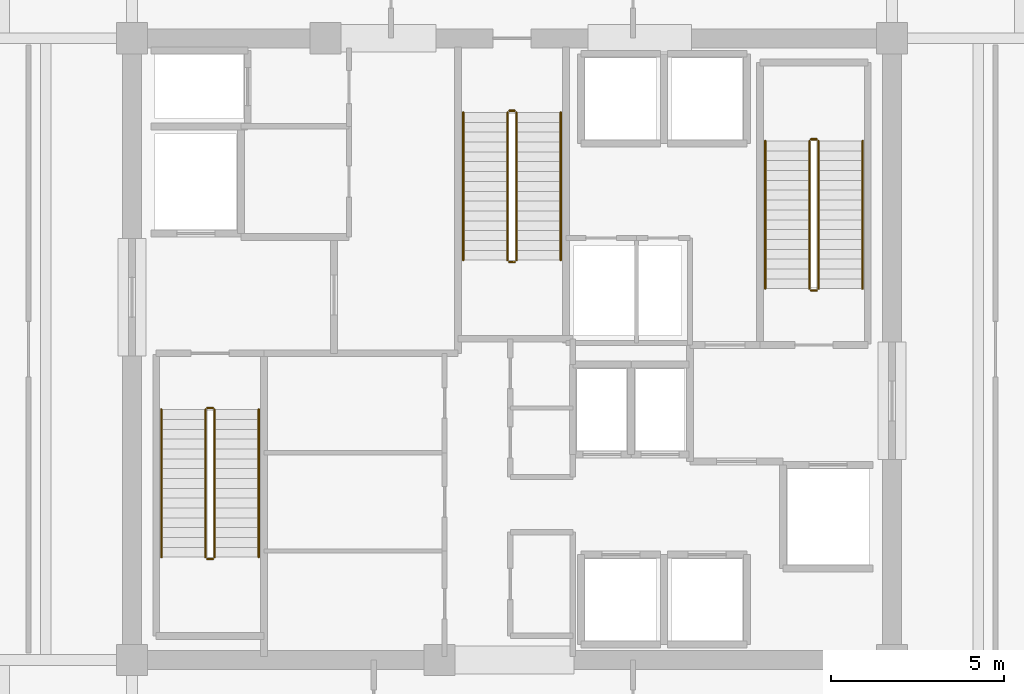
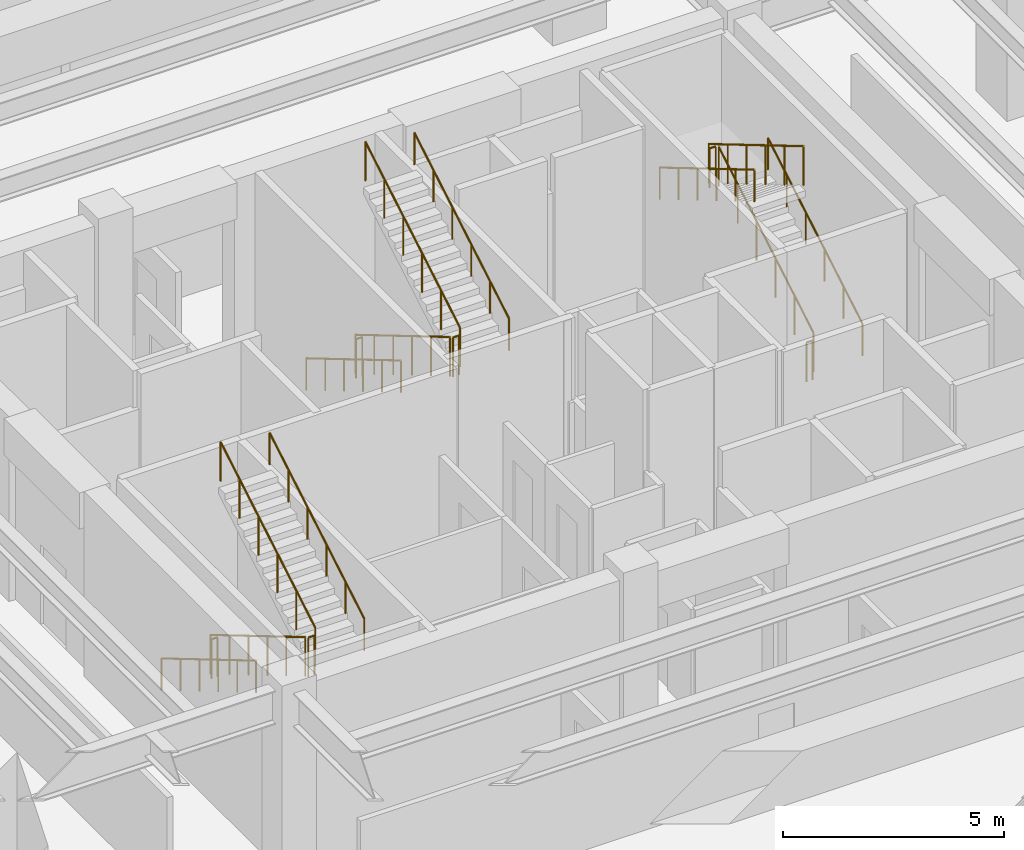
# One storey, part 24 of 24: 18 railings.
"""IFC4 building model written with IfcOpenShell, lengths in metres."""

from ifc_helpers import new_model, si_unit, direction, frame, origin, origin_2d, place, context, subcontext, project, spatial, circle, extrude, material, type_object, element, save


model = new_model("IFC4")

# Units and contexts
model_context = context("Model", 3, precision=1e-05, world=origin(), true_north=direction((0.0, 1.0)))
body_context = subcontext(model_context, "Body", "Model", "MODEL_VIEW")
ifc_project = project(units=[si_unit("LENGTHUNIT", "METRE"), si_unit("AREAUNIT", "SQUARE_METRE"), si_unit("VOLUMEUNIT", "CUBIC_METRE"), si_unit("PLANEANGLEUNIT", "RADIAN"), si_unit("MASSUNIT", "GRAM", prefix="KILO")], contexts=[model_context])

# Site, building, storey
site_placement = place(None, origin())
site = spatial("IfcSite", under=ifc_project, at=site_placement, CompositionType="ELEMENT")
building_placement = place(site_placement, origin())
building = spatial("IfcBuilding", under=site, at=building_placement, Name="Kovane Verandah Tower", CompositionType="ELEMENT")
storey_placement = place(building_placement, frame((0.0, 0.0, 194.800048828125)))
storey = spatial("IfcBuildingStorey", under=building, at=storey_placement, Name="L45", CompositionType="ELEMENT", Elevation=194.800048828125)

# Railings
ifc_material_1 = material(Name="Brushed Stainless Steel Handrail", Category="steel")
railing_type_1 = type_object("IfcRailingType", Name="RL-HAND-920", PredefinedType="HANDRAIL", material=ifc_material_1)
railing_1_placement = place(storey_placement, frame((29.85009765625, 25.75, 0.168701171875)))
element("IfcRailing", 1, at=railing_1_placement, inside=storey, type_object=railing_type_1, Name="L45 ST-01 stair handrail 1", PredefinedType="HANDRAIL", context=body_context, shape_type="SweptSolid", body=[
    extrude(circle(Radius=0.02392578125, at=origin_2d()), frame((0.0, 0.0, 0.8759765625), z_axis=(0.0, -0.860470286479, 0.509500624227), x_axis=(1.0, 0.0, 0.0)), (0.0, 0.0, 1.0), 4.968017578125),
    extrude(circle(Radius=0.02099609375, at=origin_2d()), origin(), (0.0, 0.0, 1.0), 0.851806640625),
    extrude(circle(Radius=0.02099609375, at=origin_2d()), frame((0.0, -0.85498046875, 0.50634765625)), (0.0, 0.0, 1.0), 0.851806640625),
    extrude(circle(Radius=0.02099609375, at=origin_2d()), frame((0.0, -1.7099609375, 1.012451171875)), (0.0, 0.0, 1.0), 0.851806640625),
    extrude(circle(Radius=0.02099609375, at=origin_2d()), frame((0.0, -2.56494140625, 1.518798828125)), (0.0, 0.0, 1.0), 0.851806640625),
    extrude(circle(Radius=0.02099609375, at=origin_2d()), frame((0.0, -3.419921875, 2.02490234375)), (0.0, 0.0, 1.0), 0.851806640625),
    extrude(circle(Radius=0.02099609375, at=origin_2d()), frame((0.0, -4.27490234375, 2.53125)), (0.0, 0.0, 1.0), 0.851806640625),
])
for number, where, name in (
    (2, (32.669921875, 21.47509765625, 2.86865234375), "L45 ST-01 stair handrail 2"),
    (3, (50.14990234375, 29.25, 0.168701171875), "L45 ST-02 stair handrail 1"),
):
    element("IfcRailing", number, at=place(storey_placement, frame(where)), inside=storey, type_object=railing_type_1, Name=name, PredefinedType="HANDRAIL", context=body_context, shape_type="SweptSolid", body=[
        extrude(circle(Radius=0.02392578125, at=origin_2d()), frame((0.0, 0.0, 0.8759765625), z_axis=(0.0, 0.860470286479, 0.509500624227), x_axis=(-1.0, 0.0, 0.0)), (0.0, 0.0, 1.0), 4.968017578125),
        extrude(circle(Radius=0.02099609375, at=origin_2d()), origin(), (0.0, 0.0, 1.0), 0.851806640625),
        extrude(circle(Radius=0.02099609375, at=origin_2d()), frame((0.0, 0.85498046875, 0.50634765625)), (0.0, 0.0, 1.0), 0.851806640625),
        extrude(circle(Radius=0.02099609375, at=origin_2d()), frame((0.0, 1.7099609375, 1.012451171875)), (0.0, 0.0, 1.0), 0.851806640625),
        extrude(circle(Radius=0.02099609375, at=origin_2d()), frame((0.0, 2.56494140625, 1.518798828125)), (0.0, 0.0, 1.0), 0.851806640625),
        extrude(circle(Radius=0.02099609375, at=origin_2d()), frame((0.0, 3.419921875, 2.02490234375)), (0.0, 0.0, 1.0), 0.851806640625),
        extrude(circle(Radius=0.02099609375, at=origin_2d()), frame((0.0, 4.27490234375, 2.53125)), (0.0, 0.0, 1.0), 0.851806640625),
    ])
railing_2_placement = place(storey_placement, frame((47.330078125, 33.52490234375, 2.86865234375)))
element("IfcRailing", 4, at=railing_2_placement, inside=storey, type_object=railing_type_1, Name="L45 ST-02 stair handrail 2", PredefinedType="HANDRAIL", context=body_context, shape_type="SweptSolid", body=[
    extrude(circle(Radius=0.02392578125, at=origin_2d()), frame((0.0, 0.0, 0.8759765625), z_axis=(0.0, -0.860470286479, 0.509500624227), x_axis=(1.0, 0.0, 0.0)), (0.0, 0.0, 1.0), 4.968017578125),
    extrude(circle(Radius=0.02099609375, at=origin_2d()), origin(), (0.0, 0.0, 1.0), 0.851806640625),
    extrude(circle(Radius=0.02099609375, at=origin_2d()), frame((0.0, -0.85498046875, 0.50634765625)), (0.0, 0.0, 1.0), 0.851806640625),
    extrude(circle(Radius=0.02099609375, at=origin_2d()), frame((0.0, -1.7099609375, 1.012451171875)), (0.0, 0.0, 1.0), 0.851806640625),
    extrude(circle(Radius=0.02099609375, at=origin_2d()), frame((0.0, -2.56494140625, 1.518798828125)), (0.0, 0.0, 1.0), 0.851806640625),
    extrude(circle(Radius=0.02099609375, at=origin_2d()), frame((0.0, -3.419921875, 2.02490234375)), (0.0, 0.0, 1.0), 0.851806640625),
    extrude(circle(Radius=0.02099609375, at=origin_2d()), frame((0.0, -4.27490234375, 2.53125)), (0.0, 0.0, 1.0), 0.851806640625),
])
railing_3_placement = place(storey_placement, frame((38.590087890625, 34.35009765625, 0.168701171875)))
element("IfcRailing", 5, at=railing_3_placement, inside=storey, type_object=railing_type_1, Name="L45 ST-03 stair handrail 1", PredefinedType="HANDRAIL", context=body_context, shape_type="SweptSolid", body=[
    extrude(circle(Radius=0.02392578125, at=origin_2d()), frame((0.0, 0.0, 0.8759765625), z_axis=(0.0, -0.860483042394, 0.50947908078), x_axis=(1.0, 0.0, 0.0)), (0.0, 0.0, 1.0), 4.96826171875),
    extrude(circle(Radius=0.02099609375, at=origin_2d()), origin(), (0.0, 0.0, 1.0), 0.851806640625),
    extrude(circle(Radius=0.02099609375, at=origin_2d()), frame((0.0, -0.85498046875, 0.50634765625)), (0.0, 0.0, 1.0), 0.851806640625),
    extrude(circle(Radius=0.02099609375, at=origin_2d()), frame((0.0, -1.7099609375, 1.012451171875)), (0.0, 0.0, 1.0), 0.851806640625),
    extrude(circle(Radius=0.02099609375, at=origin_2d()), frame((0.0, -2.565185546875, 1.518798828125)), (0.0, 0.0, 1.0), 0.851806640625),
    extrude(circle(Radius=0.02099609375, at=origin_2d()), frame((0.0, -3.420166015625, 2.02490234375)), (0.0, 0.0, 1.0), 0.851806640625),
    extrude(circle(Radius=0.02099609375, at=origin_2d()), frame((0.0, -4.275146484375, 2.53125)), (0.0, 0.0, 1.0), 0.851806640625),
])
railing_4_placement = place(storey_placement, frame((41.409912109375, 30.074951171875, 2.86865234375)))
element("IfcRailing", 6, at=railing_4_placement, inside=storey, type_object=railing_type_1, Name="L45 ST-03 stair handrail 2", PredefinedType="HANDRAIL", context=body_context, shape_type="SweptSolid", body=[
    extrude(circle(Radius=0.02392578125, at=origin_2d()), frame((0.0, 0.0, 0.8759765625), z_axis=(0.0, 0.860483042394, 0.50947908078), x_axis=(-1.0, 0.0, 0.0)), (0.0, 0.0, 1.0), 4.96826171875),
    extrude(circle(Radius=0.02099609375, at=origin_2d()), origin(), (0.0, 0.0, 1.0), 0.851806640625),
    extrude(circle(Radius=0.02099609375, at=origin_2d()), frame((0.0, 0.85498046875, 0.50634765625)), (0.0, 0.0, 1.0), 0.851806640625),
    extrude(circle(Radius=0.02099609375, at=origin_2d()), frame((0.0, 1.7099609375, 1.012451171875)), (0.0, 0.0, 1.0), 0.851806640625),
    extrude(circle(Radius=0.02099609375, at=origin_2d()), frame((0.0, 2.565185546875, 1.518798828125)), (0.0, 0.0, 1.0), 0.851806640625),
    extrude(circle(Radius=0.02099609375, at=origin_2d()), frame((0.0, 3.420166015625, 2.02490234375)), (0.0, 0.0, 1.0), 0.851806640625),
    extrude(circle(Radius=0.02099609375, at=origin_2d()), frame((0.0, 4.275146484375, 2.53125)), (0.0, 0.0, 1.0), 0.851806640625),
])
ifc_material_2 = material(Name="Painted Steel Stairwell Guardrail", Category="steel")
railing_type_2 = type_object("IfcRailingType", Name="RL-STGUARD-1120", PredefinedType="GUARDRAIL", material=ifc_material_2)
railing_5_placement = place(storey_placement, frame((31.1298828125, 25.75, 0.168701171875)))
element("IfcRailing", 7, at=railing_5_placement, inside=storey, type_object=railing_type_2, Name="L45 ST-01 stair guard 1", PredefinedType="GUARDRAIL", context=body_context, shape_type="SweptSolid", body=[
    extrude(circle(Radius=0.02392578125, at=origin_2d()), frame((0.0, 0.0, 1.076171875), z_axis=(0.0, -0.860470286479, 0.509500624227), x_axis=(1.0, 0.0, 0.0)), (0.0, 0.0, 1.0), 4.968017578125),
    extrude(circle(Radius=0.02099609375, at=origin_2d()), origin(), (0.0, 0.0, 1.0), 1.052001953125),
    extrude(circle(Radius=0.02099609375, at=origin_2d()), frame((0.0, -0.85498046875, 0.50634765625)), (0.0, 0.0, 1.0), 1.052001953125),
    extrude(circle(Radius=0.02099609375, at=origin_2d()), frame((0.0, -1.7099609375, 1.012451171875)), (0.0, 0.0, 1.0), 1.052001953125),
    extrude(circle(Radius=0.02099609375, at=origin_2d()), frame((0.0, -2.56494140625, 1.518798828125)), (0.0, 0.0, 1.0), 1.052001953125),
    extrude(circle(Radius=0.02099609375, at=origin_2d()), frame((0.0, -3.419921875, 2.02490234375)), (0.0, 0.0, 1.0), 1.052001953125),
    extrude(circle(Radius=0.02099609375, at=origin_2d()), frame((0.0, -4.27490234375, 2.53125)), (0.0, 0.0, 1.0), 1.052001953125),
])
railing_6_placement = place(storey_placement, frame((31.179931640625, 21.425048828125, 2.699951171875)))
element("IfcRailing", 8, at=railing_6_placement, inside=storey, type_object=railing_type_2, Name="L45 ST-01 stair guard 2", PredefinedType="GUARDRAIL", context=body_context, shape_type="SweptSolid", body=[
    extrude(circle(Radius=0.02392578125, at=origin_2d()), frame((0.0, 0.0, 1.076171875), z_axis=(1.0, 0.0, 0.0), x_axis=(0.0, 1.0, 0.0)), (0.0, 0.0, 1.0), 0.16015625),
    extrude(circle(Radius=0.02099609375, at=origin_2d()), origin(), (0.0, 0.0, 1.0), 1.052001953125),
    extrude(circle(Radius=0.02099609375, at=origin_2d()), frame((0.16015625, 0.0, 0.0)), (0.0, 0.0, 1.0), 1.052001953125),
])
railing_7_placement = place(storey_placement, frame((31.389892578125, 21.47509765625, 2.86865234375)))
element("IfcRailing", 9, at=railing_7_placement, inside=storey, type_object=railing_type_2, Name="L45 ST-01 stair guard 3", PredefinedType="GUARDRAIL", context=body_context, shape_type="SweptSolid", body=[
    extrude(circle(Radius=0.02392578125, at=origin_2d()), frame((0.0, 0.0, 1.076171875), z_axis=(0.0, 0.860470286479, 0.509500624227), x_axis=(-1.0, 0.0, 0.0)), (0.0, 0.0, 1.0), 4.968017578125),
    extrude(circle(Radius=0.02099609375, at=origin_2d()), origin(), (0.0, 0.0, 1.0), 1.052001953125),
    extrude(circle(Radius=0.02099609375, at=origin_2d()), frame((0.0, 0.85498046875, 0.50634765625)), (0.0, 0.0, 1.0), 1.052001953125),
    extrude(circle(Radius=0.02099609375, at=origin_2d()), frame((0.0, 1.7099609375, 1.012451171875)), (0.0, 0.0, 1.0), 1.052001953125),
    extrude(circle(Radius=0.02099609375, at=origin_2d()), frame((0.0, 2.56494140625, 1.518798828125)), (0.0, 0.0, 1.0), 1.052001953125),
    extrude(circle(Radius=0.02099609375, at=origin_2d()), frame((0.0, 3.419921875, 2.02490234375)), (0.0, 0.0, 1.0), 1.052001953125),
    extrude(circle(Radius=0.02099609375, at=origin_2d()), frame((0.0, 4.27490234375, 2.53125)), (0.0, 0.0, 1.0), 1.052001953125),
])
railing_8_placement = place(storey_placement, frame((31.179931640625, 25.800048828125, 0.0)))
element("IfcRailing", 10, at=railing_8_placement, inside=storey, type_object=railing_type_2, Name="L45 ST-01 stair guard 4", PredefinedType="GUARDRAIL", context=body_context, shape_type="SweptSolid", body=[
    extrude(circle(Radius=0.02392578125, at=origin_2d()), frame((0.0, 0.0, 1.076171875), z_axis=(1.0, 0.0, 0.0), x_axis=(0.0, 1.0, 0.0)), (0.0, 0.0, 1.0), 0.16015625),
    extrude(circle(Radius=0.02099609375, at=origin_2d()), origin(), (0.0, 0.0, 1.0), 1.052001953125),
    extrude(circle(Radius=0.02099609375, at=origin_2d()), frame((0.16015625, 0.0, 0.0)), (0.0, 0.0, 1.0), 1.052001953125),
])
railing_9_placement = place(storey_placement, frame((48.8701171875, 29.25, 0.168701171875)))
element("IfcRailing", 11, at=railing_9_placement, inside=storey, type_object=railing_type_2, Name="L45 ST-02 stair guard 1", PredefinedType="GUARDRAIL", context=body_context, shape_type="SweptSolid", body=[
    extrude(circle(Radius=0.02392578125, at=origin_2d()), frame((0.0, 0.0, 1.076171875), z_axis=(0.0, 0.860470286479, 0.509500624227), x_axis=(-1.0, 0.0, 0.0)), (0.0, 0.0, 1.0), 4.968017578125),
    extrude(circle(Radius=0.02099609375, at=origin_2d()), origin(), (0.0, 0.0, 1.0), 1.052001953125),
    extrude(circle(Radius=0.02099609375, at=origin_2d()), frame((0.0, 0.85498046875, 0.50634765625)), (0.0, 0.0, 1.0), 1.052001953125),
    extrude(circle(Radius=0.02099609375, at=origin_2d()), frame((0.0, 1.7099609375, 1.012451171875)), (0.0, 0.0, 1.0), 1.052001953125),
    extrude(circle(Radius=0.02099609375, at=origin_2d()), frame((0.0, 2.56494140625, 1.518798828125)), (0.0, 0.0, 1.0), 1.052001953125),
    extrude(circle(Radius=0.02099609375, at=origin_2d()), frame((0.0, 3.419921875, 2.02490234375)), (0.0, 0.0, 1.0), 1.052001953125),
    extrude(circle(Radius=0.02099609375, at=origin_2d()), frame((0.0, 4.27490234375, 2.53125)), (0.0, 0.0, 1.0), 1.052001953125),
])
railing_10_placement = place(storey_placement, frame((48.820068359375, 33.574951171875, 2.699951171875)))
element("IfcRailing", 12, at=railing_10_placement, inside=storey, type_object=railing_type_2, Name="L45 ST-02 stair guard 2", PredefinedType="GUARDRAIL", context=body_context, shape_type="SweptSolid", body=[
    extrude(circle(Radius=0.02392578125, at=origin_2d()), frame((0.0, 0.0, 1.076171875), z_axis=(-1.0, 0.0, 0.0), x_axis=(0.0, -1.0, 0.0)), (0.0, 0.0, 1.0), 0.16015625),
    extrude(circle(Radius=0.02099609375, at=origin_2d()), origin(), (0.0, 0.0, 1.0), 1.052001953125),
    extrude(circle(Radius=0.02099609375, at=origin_2d()), frame((-0.16015625, 0.0, 0.0)), (0.0, 0.0, 1.0), 1.052001953125),
])
railing_11_placement = place(storey_placement, frame((48.610107421875, 33.52490234375, 2.86865234375)))
element("IfcRailing", 13, at=railing_11_placement, inside=storey, type_object=railing_type_2, Name="L45 ST-02 stair guard 3", PredefinedType="GUARDRAIL", context=body_context, shape_type="SweptSolid", body=[
    extrude(circle(Radius=0.02392578125, at=origin_2d()), frame((0.0, 0.0, 1.076171875), z_axis=(0.0, -0.860470286479, 0.509500624227), x_axis=(1.0, 0.0, 0.0)), (0.0, 0.0, 1.0), 4.968017578125),
    extrude(circle(Radius=0.02099609375, at=origin_2d()), origin(), (0.0, 0.0, 1.0), 1.052001953125),
    extrude(circle(Radius=0.02099609375, at=origin_2d()), frame((0.0, -0.85498046875, 0.50634765625)), (0.0, 0.0, 1.0), 1.052001953125),
    extrude(circle(Radius=0.02099609375, at=origin_2d()), frame((0.0, -1.7099609375, 1.012451171875)), (0.0, 0.0, 1.0), 1.052001953125),
    extrude(circle(Radius=0.02099609375, at=origin_2d()), frame((0.0, -2.56494140625, 1.518798828125)), (0.0, 0.0, 1.0), 1.052001953125),
    extrude(circle(Radius=0.02099609375, at=origin_2d()), frame((0.0, -3.419921875, 2.02490234375)), (0.0, 0.0, 1.0), 1.052001953125),
    extrude(circle(Radius=0.02099609375, at=origin_2d()), frame((0.0, -4.27490234375, 2.53125)), (0.0, 0.0, 1.0), 1.052001953125),
])
railing_12_placement = place(storey_placement, frame((48.820068359375, 29.199951171875, 0.0)))
element("IfcRailing", 14, at=railing_12_placement, inside=storey, type_object=railing_type_2, Name="L45 ST-02 stair guard 4", PredefinedType="GUARDRAIL", context=body_context, shape_type="SweptSolid", body=[
    extrude(circle(Radius=0.02392578125, at=origin_2d()), frame((0.0, 0.0, 1.076171875), z_axis=(-1.0, 0.0, 0.0), x_axis=(0.0, -1.0, 0.0)), (0.0, 0.0, 1.0), 0.16015625),
    extrude(circle(Radius=0.02099609375, at=origin_2d()), origin(), (0.0, 0.0, 1.0), 1.052001953125),
    extrude(circle(Radius=0.02099609375, at=origin_2d()), frame((-0.16015625, 0.0, 0.0)), (0.0, 0.0, 1.0), 1.052001953125),
])
railing_13_placement = place(storey_placement, frame((39.8701171875, 34.35009765625, 0.168701171875)))
element("IfcRailing", 15, at=railing_13_placement, inside=storey, type_object=railing_type_2, Name="L45 ST-03 stair guard 1", PredefinedType="GUARDRAIL", context=body_context, shape_type="SweptSolid", body=[
    extrude(circle(Radius=0.02392578125, at=origin_2d()), frame((0.0, 0.0, 1.076171875), z_axis=(0.0, -0.860483042394, 0.50947908078), x_axis=(1.0, 0.0, 0.0)), (0.0, 0.0, 1.0), 4.96826171875),
    extrude(circle(Radius=0.02099609375, at=origin_2d()), origin(), (0.0, 0.0, 1.0), 1.052001953125),
    extrude(circle(Radius=0.02099609375, at=origin_2d()), frame((0.0, -0.85498046875, 0.50634765625)), (0.0, 0.0, 1.0), 1.052001953125),
    extrude(circle(Radius=0.02099609375, at=origin_2d()), frame((0.0, -1.7099609375, 1.012451171875)), (0.0, 0.0, 1.0), 1.052001953125),
    extrude(circle(Radius=0.02099609375, at=origin_2d()), frame((0.0, -2.565185546875, 1.518798828125)), (0.0, 0.0, 1.0), 1.052001953125),
    extrude(circle(Radius=0.02099609375, at=origin_2d()), frame((0.0, -3.420166015625, 2.02490234375)), (0.0, 0.0, 1.0), 1.052001953125),
    extrude(circle(Radius=0.02099609375, at=origin_2d()), frame((0.0, -4.275146484375, 2.53125)), (0.0, 0.0, 1.0), 1.052001953125),
])
railing_14_placement = place(storey_placement, frame((39.919921875, 30.02490234375, 2.699951171875)))
element("IfcRailing", 16, at=railing_14_placement, inside=storey, type_object=railing_type_2, Name="L45 ST-03 stair guard 2", PredefinedType="GUARDRAIL", context=body_context, shape_type="SweptSolid", body=[
    extrude(circle(Radius=0.02392578125, at=origin_2d()), frame((0.0, 0.0, 1.076171875), z_axis=(1.0, 0.0, 0.0), x_axis=(0.0, 1.0, 0.0)), (0.0, 0.0, 1.0), 0.16015625),
    extrude(circle(Radius=0.02099609375, at=origin_2d()), origin(), (0.0, 0.0, 1.0), 1.052001953125),
    extrude(circle(Radius=0.02099609375, at=origin_2d()), frame((0.16015625, 0.0, 0.0)), (0.0, 0.0, 1.0), 1.052001953125),
])
railing_15_placement = place(storey_placement, frame((40.1298828125, 30.074951171875, 2.86865234375)))
element("IfcRailing", 17, at=railing_15_placement, inside=storey, type_object=railing_type_2, Name="L45 ST-03 stair guard 3", PredefinedType="GUARDRAIL", context=body_context, shape_type="SweptSolid", body=[
    extrude(circle(Radius=0.02392578125, at=origin_2d()), frame((0.0, 0.0, 1.076171875), z_axis=(0.0, 0.860483042394, 0.50947908078), x_axis=(-1.0, 0.0, 0.0)), (0.0, 0.0, 1.0), 4.96826171875),
    extrude(circle(Radius=0.02099609375, at=origin_2d()), origin(), (0.0, 0.0, 1.0), 1.052001953125),
    extrude(circle(Radius=0.02099609375, at=origin_2d()), frame((0.0, 0.85498046875, 0.50634765625)), (0.0, 0.0, 1.0), 1.052001953125),
    extrude(circle(Radius=0.02099609375, at=origin_2d()), frame((0.0, 1.7099609375, 1.012451171875)), (0.0, 0.0, 1.0), 1.052001953125),
    extrude(circle(Radius=0.02099609375, at=origin_2d()), frame((0.0, 2.565185546875, 1.518798828125)), (0.0, 0.0, 1.0), 1.052001953125),
    extrude(circle(Radius=0.02099609375, at=origin_2d()), frame((0.0, 3.420166015625, 2.02490234375)), (0.0, 0.0, 1.0), 1.052001953125),
    extrude(circle(Radius=0.02099609375, at=origin_2d()), frame((0.0, 4.275146484375, 2.53125)), (0.0, 0.0, 1.0), 1.052001953125),
])
railing_16_placement = place(storey_placement, frame((39.919921875, 34.39990234375, 0.0)))
element("IfcRailing", 18, at=railing_16_placement, inside=storey, type_object=railing_type_2, Name="L45 ST-03 stair guard 4", PredefinedType="GUARDRAIL", context=body_context, shape_type="SweptSolid", body=[
    extrude(circle(Radius=0.02392578125, at=origin_2d()), frame((0.0, 0.0, 1.076171875), z_axis=(1.0, 0.0, 0.0), x_axis=(0.0, 1.0, 0.0)), (0.0, 0.0, 1.0), 0.16015625),
    extrude(circle(Radius=0.02099609375, at=origin_2d()), origin(), (0.0, 0.0, 1.0), 1.052001953125),
    extrude(circle(Radius=0.02099609375, at=origin_2d()), frame((0.16015625, 0.0, 0.0)), (0.0, 0.0, 1.0), 1.052001953125),
])

save(model, "model.ifc")
